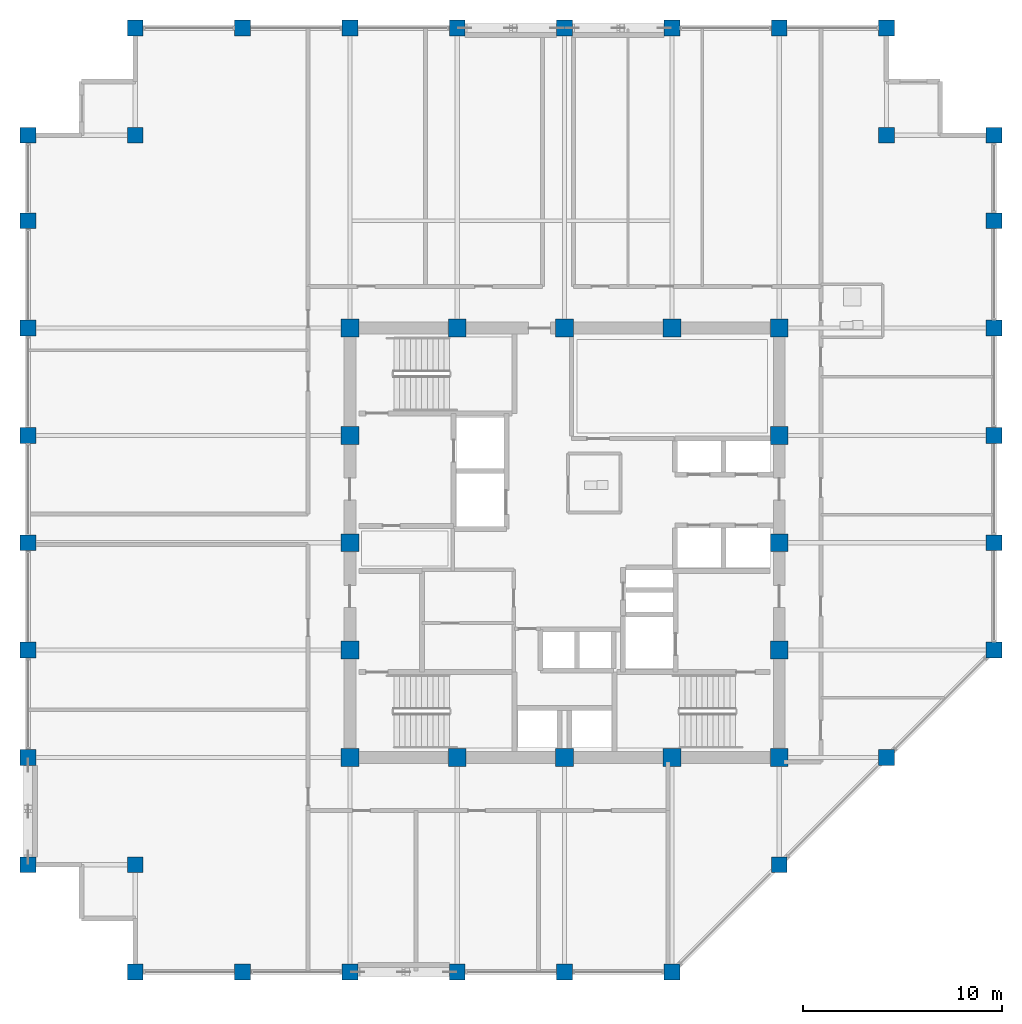
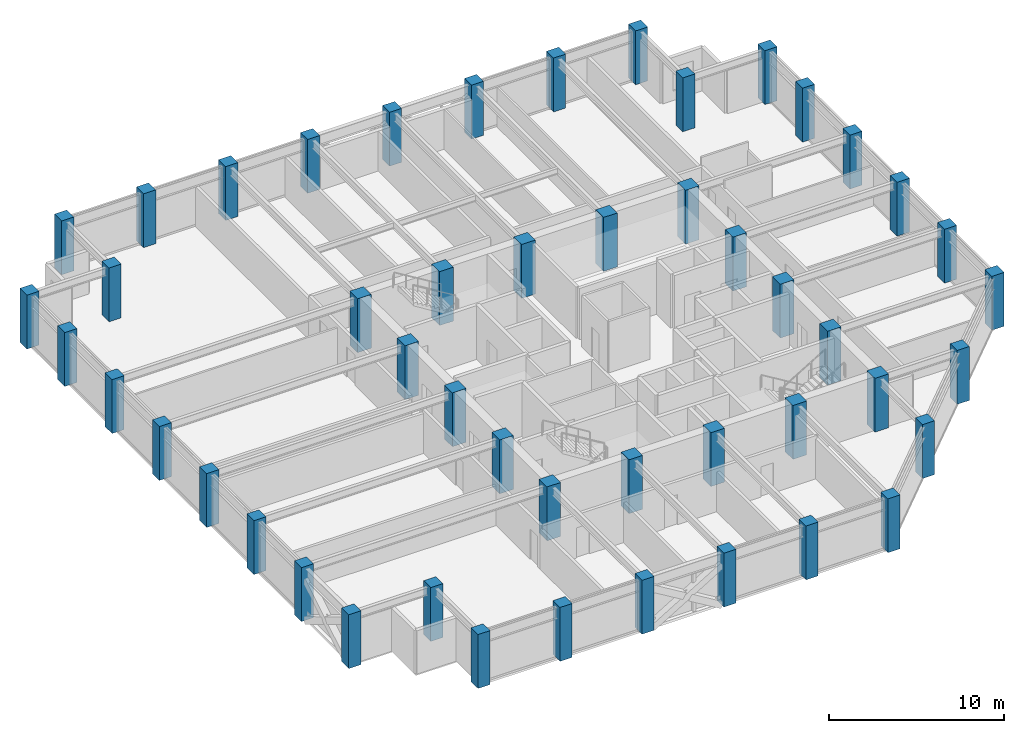
# One storey, part 1 of 32: 49 columns.
"""IFC4 building model written with IfcOpenShell, lengths in metres."""

from ifc_helpers import new_model, si_unit, direction, frame, origin, origin_2d, place, context, subcontext, project, spatial, rectangle, extrude, material, material_profile, profile_set, type_object, element, save


model = new_model("IFC4")

# Units and contexts
model_context = context("Model", 3, precision=1e-05, world=origin(), true_north=direction((0.0, 1.0)))
body_context = subcontext(model_context, "Body", "Model", "MODEL_VIEW")
ifc_project = project(units=[si_unit("LENGTHUNIT", "METRE"), si_unit("AREAUNIT", "SQUARE_METRE"), si_unit("VOLUMEUNIT", "CUBIC_METRE"), si_unit("PLANEANGLEUNIT", "RADIAN"), si_unit("MASSUNIT", "GRAM", prefix="KILO")], contexts=[model_context])

# Site, building, storey
site_placement = place(None, origin())
site = spatial("IfcSite", under=ifc_project, at=site_placement, CompositionType="ELEMENT")
building_placement = place(site_placement, origin())
building = spatial("IfcBuilding", under=site, at=building_placement, Name="Surkhivell Harbour Commons", CompositionType="ELEMENT")
storey_placement = place(building_placement, frame((0.0, 0.0, 219.75)))
storey = spatial("IfcBuildingStorey", under=building, at=storey_placement, Name="L57", CompositionType="ELEMENT", Elevation=219.75)

# Columns
ifc_material_1 = material(Name="Concrete C60/75", Category="concrete")
ifc_material_profile_1 = material_profile(ifc_material_1, rectangle(XDim=0.89990234375, YDim=0.89990234375, at=origin_2d()), Name="RC-COL-900x900")
ifc_profile_set_1 = profile_set([ifc_material_profile_1], Name="Concrete C60/75")
column_type_1 = type_object("IfcColumnType", Name="COL-TUBE-Z3A", PredefinedType="COLUMN", material=ifc_profile_set_1)
for number, where, z_axis, x_axis, name in (
    (1, (-10.800048828125, -10.800048828125, 0.0), (0.0, 0.0, 1.0), (1.0, 0.0, 0.0), "L57 Column CT-3A (-10.8,-10.8)"),
    (2, (-10.800048828125, -5.39990234375, 0.0), (0.0, 0.0, 1.0), (1.0, 0.0, 0.0), "L57 Column CT-3A (-10.8,-5.4)"),
    (3, (-10.800048828125, 0.0, 0.0), (0.0, 0.0, 1.0), (1.0, 0.0, 0.0), "L57 Column CT-3A (-10.8,0.0)"),
    (4, (-10.800048828125, 5.39990234375, 0.0), (0.0, 0.0, 1.0), (1.0, 0.0, 0.0), "L57 Column CT-3A (-10.8,5.4)"),
    (5, (-10.800048828125, 10.800048828125, 0.0), (0.0, 0.0, 1.0), (1.0, 0.0, 0.0), "L57 Column CT-3A (-10.8,10.8)"),
    (6, (-5.39990234375, -10.800048828125, 0.0), (0.0, 0.0, 1.0), (1.0, 0.0, 0.0), "L57 Column CT-3A (-5.4,-10.8)"),
    (7, (-5.39990234375, 10.800048828125, 0.0), (0.0, 0.0, 1.0), (1.0, 0.0, 0.0), "L57 Column CT-3A (-5.4,10.8)"),
    (8, (0.0, -10.800048828125, 0.0), (0.0, 0.0, 1.0), (1.0, 0.0, 0.0), "L57 Column CT-3A (0.0,-10.8)"),
    (9, (0.0, 10.800048828125, 0.0), (0.0, 0.0, 1.0), (1.0, 0.0, 0.0), "L57 Column CT-3A (0.0,10.8)"),
    (10, (5.39990234375, -10.800048828125, 0.0), (0.0, 0.0, 1.0), (1.0, 0.0, 0.0), "L57 Column CT-3A (5.4,-10.8)"),
    (11, (5.39990234375, 10.800048828125, 0.0), (0.0, 0.0, 1.0), (1.0, 0.0, 0.0), "L57 Column CT-3A (5.4,10.8)"),
    (12, (10.800048828125, -10.800048828125, 0.0), (0.0, 0.0, 1.0), (1.0, 0.0, 0.0), "L57 Column CT-3A (10.8,-10.8)"),
    (13, (10.800048828125, -5.39990234375, 0.0), (0.0, 0.0, 1.0), (1.0, 0.0, 0.0), "L57 Column CT-3A (10.8,-5.4)"),
    (14, (10.800048828125, 0.0, 0.0), (0.0, 0.0, 1.0), (1.0, 0.0, 0.0), "L57 Column CT-3A (10.8,0.0)"),
    (15, (10.800048828125, 5.39990234375, 0.0), (0.0, 0.0, 1.0), (1.0, 0.0, 0.0), "L57 Column CT-3A (10.8,5.4)"),
    (16, (10.800048828125, 10.800048828125, 0.0), (0.0, 0.0, 1.0), (1.0, 0.0, 0.0), "L57 Column CT-3A (10.8,10.8)"),
):
    element("IfcColumn", number, at=place(storey_placement, frame(where, z_axis=z_axis, x_axis=x_axis)), inside=storey, type_object=column_type_1, Name=name, PredefinedType="COLUMN", context=body_context, shape_type="SweptSolid", body=[
        extrude(rectangle(XDim=0.89990234375, YDim=0.89990234375, at=origin_2d()), origin(), (0.0, 0.0, 1.0), 3.75),
    ])
ifc_material_2 = material(Name="Concrete C50/60", Category="concrete")
ifc_material_profile_2 = material_profile(ifc_material_2, rectangle(XDim=0.800048828125, YDim=0.800048828125, at=origin_2d()), Name="RC-COL-800x800")
ifc_profile_set_2 = profile_set([ifc_material_profile_2], Name="Concrete C50/60")
column_type_2 = type_object("IfcColumnType", Name="COL-TUBE-Z3B", PredefinedType="COLUMN", material=ifc_profile_set_2)
for number, where, z_axis, x_axis, name in (
    (17, (-27.0, -16.199951171875, 0.0), (0.0, 0.0, 1.0), (1.0, 0.0, 0.0), "L57 Column CT-3B (-27.0,-16.2)"),
    (18, (-27.0, -10.800048828125, 0.0), (0.0, 0.0, 1.0), (1.0, 0.0, 0.0), "L57 Column CT-3B (-27.0,-10.8)"),
    (19, (-27.0, -5.39990234375, 0.0), (0.0, 0.0, 1.0), (1.0, 0.0, 0.0), "L57 Column CT-3B (-27.0,-5.4)"),
    (20, (-27.0, 0.0, 0.0), (0.0, 0.0, 1.0), (1.0, 0.0, 0.0), "L57 Column CT-3B (-27.0,0.0)"),
    (21, (-27.0, 5.39990234375, 0.0), (0.0, 0.0, 1.0), (1.0, 0.0, 0.0), "L57 Column CT-3B (-27.0,5.4)"),
    (22, (-27.0, 10.800048828125, 0.0), (0.0, 0.0, 1.0), (1.0, 0.0, 0.0), "L57 Column CT-3B (-27.0,10.8)"),
    (23, (-27.0, 16.199951171875, 0.0), (0.0, 0.0, 1.0), (1.0, 0.0, 0.0), "L57 Column CT-3B (-27.0,16.2)"),
    (24, (-27.0, 20.5, 0.0), (0.0, 0.0, 1.0), (1.0, 0.0, 0.0), "L57 Column CT-3B (-27.0,20.5)"),
    (25, (-21.60009765625, -21.60009765625, 0.0), (0.0, 0.0, 1.0), (1.0, 0.0, 0.0), "L57 Column CT-3B (-21.6,-21.6)"),
    (26, (-21.60009765625, -16.199951171875, 0.0), (0.0, 0.0, 1.0), (1.0, 0.0, 0.0), "L57 Column CT-3B (-21.6,-16.2)"),
    (27, (-21.60009765625, 20.5, 0.0), (0.0, 0.0, 1.0), (1.0, 0.0, 0.0), "L57 Column CT-3B (-21.6,20.5)"),
    (28, (-21.60009765625, 25.89990234375, 0.0), (0.0, 0.0, 1.0), (1.0, 0.0, 0.0), "L57 Column CT-3B (-21.6,25.9)"),
    (29, (-16.199951171875, -21.60009765625, 0.0), (0.0, 0.0, 1.0), (1.0, 0.0, 0.0), "L57 Column CT-3B (-16.2,-21.6)"),
    (30, (-16.199951171875, 25.89990234375, 0.0), (0.0, 0.0, 1.0), (1.0, 0.0, 0.0), "L57 Column CT-3B (-16.2,25.9)"),
    (31, (-10.800048828125, -21.60009765625, 0.0), (0.0, 0.0, 1.0), (1.0, 0.0, 0.0), "L57 Column CT-3B (-10.8,-21.6)"),
    (32, (-10.800048828125, 25.89990234375, 0.0), (0.0, 0.0, 1.0), (1.0, 0.0, 0.0), "L57 Column CT-3B (-10.8,25.9)"),
    (33, (-5.39990234375, -21.60009765625, 0.0), (0.0, 0.0, 1.0), (1.0, 0.0, 0.0), "L57 Column CT-3B (-5.4,-21.6)"),
    (34, (-5.39990234375, 25.89990234375, 0.0), (0.0, 0.0, 1.0), (1.0, 0.0, 0.0), "L57 Column CT-3B (-5.4,25.9)"),
    (35, (0.0, -21.60009765625, 0.0), (0.0, 0.0, 1.0), (1.0, 0.0, 0.0), "L57 Column CT-3B (-0.0,-21.6)"),
    (36, (0.0, 25.89990234375, 0.0), (0.0, 0.0, 1.0), (1.0, 0.0, 0.0), "L57 Column CT-3B (-0.0,25.9)"),
    (37, (5.39990234375, -21.60009765625, 0.0), (0.0, 0.0, 1.0), (1.0, 0.0, 0.0), "L57 Column CT-3B (5.4,-21.6)"),
    (38, (5.39990234375, 25.89990234375, 0.0), (0.0, 0.0, 1.0), (1.0, 0.0, 0.0), "L57 Column CT-3B (5.4,25.9)"),
    (39, (10.800048828125, -16.199951171875, 0.0), (0.0, 0.0, 1.0), (1.0, 0.0, 0.0), "L57 Column CT-3B (10.8,-16.2)"),
    (40, (10.800048828125, 25.89990234375, 0.0), (0.0, 0.0, 1.0), (1.0, 0.0, 0.0), "L57 Column CT-3B (10.8,25.9)"),
    (41, (16.199951171875, -10.800048828125, 0.0), (0.0, 0.0, 1.0), (1.0, 0.0, 0.0), "L57 Column CT-3B (16.2,-10.8)"),
    (42, (16.199951171875, 20.5, 0.0), (0.0, 0.0, 1.0), (1.0, 0.0, 0.0), "L57 Column CT-3B (16.2,20.5)"),
    (43, (16.199951171875, 25.89990234375, 0.0), (0.0, 0.0, 1.0), (1.0, 0.0, 0.0), "L57 Column CT-3B (16.2,25.9)"),
    (44, (21.60009765625, -5.39990234375, 0.0), (0.0, 0.0, 1.0), (1.0, 0.0, 0.0), "L57 Column CT-3B (21.6,-5.4)"),
    (45, (21.60009765625, 0.0, 0.0), (0.0, 0.0, 1.0), (1.0, 0.0, 0.0), "L57 Column CT-3B (21.6,0.0)"),
    (46, (21.60009765625, 5.39990234375, 0.0), (0.0, 0.0, 1.0), (1.0, 0.0, 0.0), "L57 Column CT-3B (21.6,5.4)"),
    (47, (21.60009765625, 10.800048828125, 0.0), (0.0, 0.0, 1.0), (1.0, 0.0, 0.0), "L57 Column CT-3B (21.6,10.8)"),
    (48, (21.60009765625, 16.199951171875, 0.0), (0.0, 0.0, 1.0), (1.0, 0.0, 0.0), "L57 Column CT-3B (21.6,16.2)"),
    (49, (21.60009765625, 20.5, 0.0), (0.0, 0.0, 1.0), (1.0, 0.0, 0.0), "L57 Column CT-3B (21.6,20.5)"),
):
    element("IfcColumn", number, at=place(storey_placement, frame(where, z_axis=z_axis, x_axis=x_axis)), inside=storey, type_object=column_type_2, Name=name, PredefinedType="COLUMN", context=body_context, shape_type="SweptSolid", body=[
        extrude(rectangle(XDim=0.800048828125, YDim=0.800048828125, at=origin_2d()), origin(), (0.0, 0.0, 1.0), 3.75),
    ])

save(model, "model.ifc")
